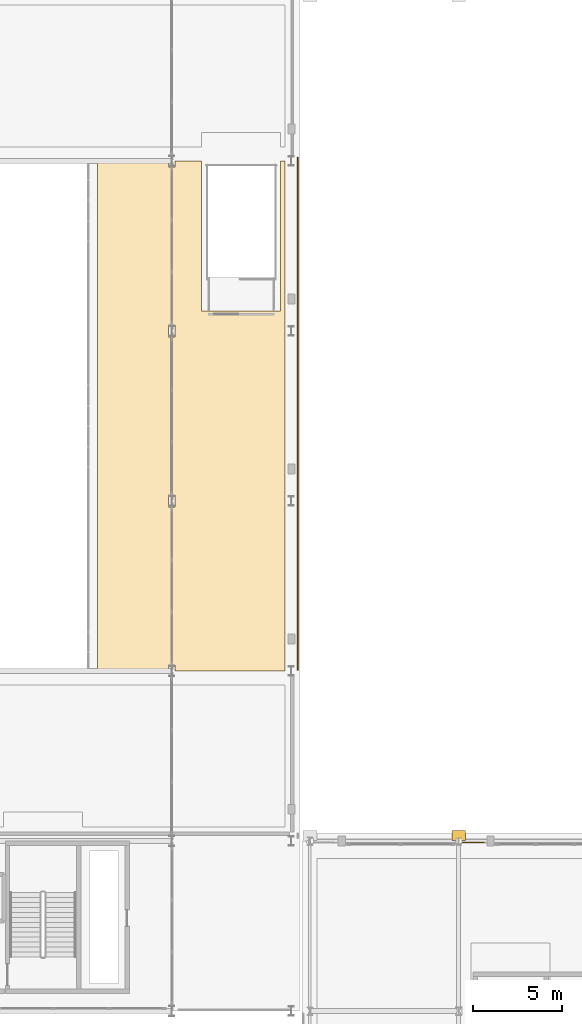
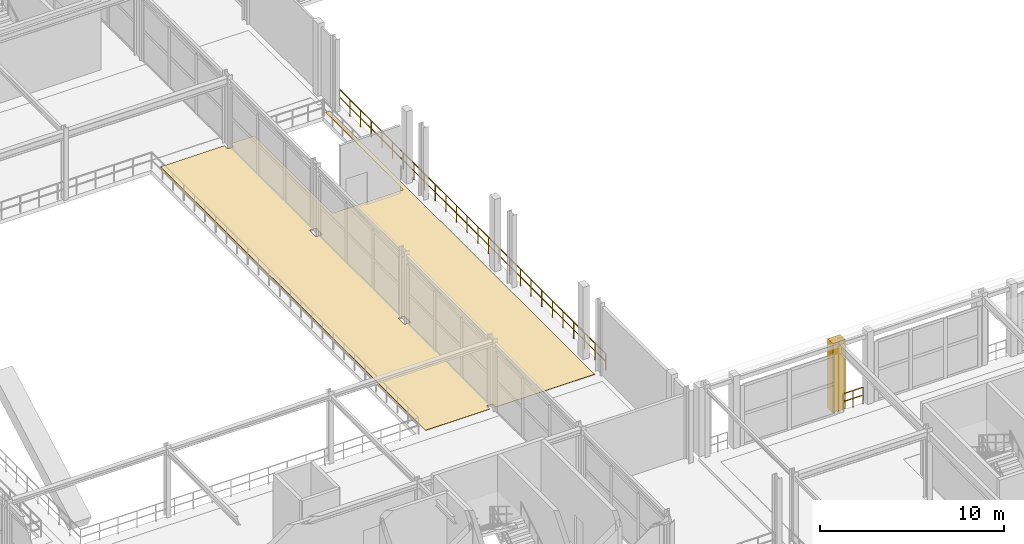
# One storey, part 102 of 125: 2 coverings, 2 railings.
"""IFC4 building model written with IfcOpenShell, lengths in metres."""

import ifcopenshell
import ifcopenshell.guid

model = None  # the IFC model being written
_history = None  # IfcOwnerHistory: only IFC2X3 demands one
_inside = {}  # id of a spatial element -> (the spatial element, [elements in it])
_under = {}  # id of a project, library or spatial element -> (it, [spatial elements below it])
_declared = {}  # id of a project -> (the project, [libraries it declares])
_typed = {}  # id of a type object -> (the type object, [elements of that type])
_made_of = {}  # id of a material, layer set ... -> (it, [elements and type objects made of it])


def new_model(schema):
    """Start an empty IFC model of exactly this schema.

    Asked for "IFC4X3", IfcOpenShell would pick the latest addendum, in which some entities
    have other attributes; the version numbers below select the first issue.
    IFC2X3 requires an IfcOwnerHistory on every rooted entity: one is made here for all.
    """
    global model, _history
    if schema == "IFC4X3":
        model = ifcopenshell.file(schema_version=(4, 3, 0, 0))
    else:
        model = ifcopenshell.file(schema=schema)
    _inside.clear()
    _under.clear()
    _declared.clear()
    _typed.clear()
    _made_of.clear()
    _history = None
    if model.schema == "IFC2X3":
        org = make("IfcOrganization", Name="unknown")
        user = make(
            "IfcPersonAndOrganization",
            ThePerson=make("IfcPerson", FamilyName="unknown"),
            TheOrganization=org,
        )
        app = make(
            "IfcApplication",
            ApplicationDeveloper=org,
            Version="unknown",
            ApplicationFullName="unknown",
            ApplicationIdentifier="unknown",
        )
        _history = make(
            "IfcOwnerHistory",
            OwningUser=user,
            OwningApplication=app,
            ChangeAction="ADDED",
            CreationDate=0,
        )
    return model


def make(cls, **values):
    """One entity of the class cls with the attributes given. An attribute that is None is left unset."""
    return model.create_entity(
        cls, **{name: value for name, value in values.items() if value is not None}
    )


def rooted(cls, **values):
    """An entity with a GlobalId (a new one), such as an element, a storey or a relation."""
    return make(cls, GlobalId=ifcopenshell.guid.new(), OwnerHistory=_history, **values)


def si_unit(unit_type, name, prefix=None):
    """IfcSIUnit, for example si_unit("LENGTHUNIT", "METRE", prefix="MILLI")."""
    return make("IfcSIUnit", UnitType=unit_type, Prefix=prefix, Name=name)


def assignment(units):
    """IfcUnitAssignment: the units of a project."""
    return None if units is None else make("IfcUnitAssignment", Units=units)


def point(xyz):
    """IfcCartesianPoint."""
    return None if xyz is None else make("IfcCartesianPoint", Coordinates=xyz)


def direction(xyz):
    """IfcDirection."""
    return None if xyz is None else make("IfcDirection", DirectionRatios=xyz)


def frame(location, z_axis=None, x_axis=None):
    """IfcAxis2Placement3D, a coordinate frame: its origin and axes. An axis left out is left unset."""
    return make(
        "IfcAxis2Placement3D",
        Location=point(location),
        Axis=direction(z_axis),
        RefDirection=direction(x_axis),
    )


def frame_2d(location, x_axis=None):
    """IfcAxis2Placement2D, a coordinate frame in the plane: its origin and x axis."""
    return make(
        "IfcAxis2Placement2D", Location=point(location), RefDirection=direction(x_axis)
    )


def origin():
    """The frame at (0, 0, 0) with its axes left unset."""
    return frame((0.0, 0.0, 0.0))


def origin_2d():
    """The frame at (0, 0) in the plane with its x axis left unset."""
    return frame_2d((0.0, 0.0))


def place(relative_to, where):
    """IfcLocalPlacement: puts the frame where relative to a parent placement (None: the world)."""
    return make(
        "IfcLocalPlacement", PlacementRelTo=relative_to, RelativePlacement=where
    )


def context(
    kind, dimensions, precision=None, world=None, true_north=None, identifier=None
):
    """IfcGeometricRepresentationContext, for example the 3D "Model" context."""
    return make(
        "IfcGeometricRepresentationContext",
        ContextIdentifier=identifier,
        ContextType=kind,
        CoordinateSpaceDimension=dimensions,
        Precision=precision,
        WorldCoordinateSystem=world,
        TrueNorth=true_north,
    )


def subcontext(parent, identifier, kind, view, scale=None):
    """IfcGeometricRepresentationSubContext, for example "Body" below "Model"."""
    return make(
        "IfcGeometricRepresentationSubContext",
        ContextIdentifier=identifier,
        ContextType=kind,
        ParentContext=parent,
        TargetScale=scale,
        TargetView=view,
    )


def project(units=None, contexts=None):
    """IfcProject with its units and contexts."""
    return rooted(
        "IfcProject",
        Name="project",
        RepresentationContexts=contexts,
        UnitsInContext=assignment(units),
    )


def spatial(cls, under=None, at=None, **own):
    """A site, building, storey or space (cls), placed at a placement, below another one or the project."""
    s = rooted(cls, ObjectPlacement=at, **own)
    if under is not None:
        _under.setdefault(under.id(), (under, []))[1].append(s)
    return s


def polyline(points):
    """IfcPolyline through the points."""
    return make("IfcPolyline", Points=[point(p) for p in points])


def profile(cls, at=None, kind="AREA", **sizes):
    """A parametric profile (cls). Its sizes go by their IFC names, for example OverallWidth=200.0."""
    return make(cls, ProfileType=kind, Position=at, **sizes)


def rectangle(**sizes):
    """IfcRectangleProfileDef."""
    return profile("IfcRectangleProfileDef", **sizes)


def outline(outer, holes=None, kind="AREA"):
    """IfcArbitraryClosedProfileDef: a profile drawn as a closed curve; with holes, ...WithVoids."""
    if holes is None:
        return make("IfcArbitraryClosedProfileDef", ProfileType=kind, OuterCurve=outer)
    return make(
        "IfcArbitraryProfileDefWithVoids",
        ProfileType=kind,
        OuterCurve=outer,
        InnerCurves=holes,
    )


def extrude(swept, where, along, depth):
    """IfcExtrudedAreaSolid: the profile swept, set in the frame where, extruded along a direction by depth."""
    return make(
        "IfcExtrudedAreaSolid",
        SweptArea=swept,
        Position=where,
        ExtrudedDirection=direction(along),
        Depth=depth,
    )


def shape(context_of_items, identifier, shape_type, items):
    """IfcShapeRepresentation: the items that make up one representation, for example the "Body"."""
    return make(
        "IfcShapeRepresentation",
        ContextOfItems=context_of_items,
        RepresentationIdentifier=identifier,
        RepresentationType=shape_type,
        Items=items,
    )


def material(Name=None, Category=None):
    """IfcMaterial."""
    return make("IfcMaterial", Name=Name, Category=Category)


def layer(
    of_material, thickness, ventilated=None, Name=None, Category=None, Priority=None
):
    """IfcMaterialLayer: one layer of a wall or slab, of a material (None: an air gap)."""
    return make(
        "IfcMaterialLayer",
        Material=of_material,
        LayerThickness=thickness,
        IsVentilated=ventilated,
        Name=Name,
        Category=Category,
        Priority=Priority,
    )


def layer_set(layers, Name=None):
    """IfcMaterialLayerSet."""
    return make("IfcMaterialLayerSet", MaterialLayers=layers, LayerSetName=Name)


def made_of(thing, what):
    """Note that an element or type object is made of a material, layer set ...; save() writes the relation."""
    if what is not None:
        _made_of.setdefault(what.id(), (what, []))[1].append(thing)
    return thing


def type_object(cls, material=None, **own):
    """A type object (cls), such as IfcWallType, which elements share."""
    return made_of(rooted(cls, **own), material)


def element(
    cls,
    number,
    at=None,
    inside=None,
    cuts=None,
    type_object=None,
    material=None,
    context=None,
    identifier="Body",
    shape_type=None,
    held_by="IfcProductDefinitionShape",
    body=None,
    shapes=None,
    **own,
):
    """One element of the class cls, such as IfcWall. Its Tag is "e" and its number.

    at: its placement. inside: the storey or other place that contains it. cuts: it is an
    opening in that element (IfcRelVoidsElement). A single representation is given by context,
    identifier, shape_type and body (its items); several are given by shapes. held_by: the class
    of the entity that holds the representations. save() writes the other relations.
    """
    e = rooted(cls, Tag="e%d" % number, ObjectPlacement=at, **own)
    if body is not None:
        shapes = [shape(context, identifier, shape_type, body)]
    if shapes is not None:
        e.Representation = make(held_by, Representations=shapes)
    if inside is not None:
        _inside.setdefault(inside.id(), (inside, []))[1].append(e)
    if cuts is not None:
        rooted(
            "IfcRelVoidsElement", RelatingBuildingElement=cuts, RelatedOpeningElement=e
        )
    if type_object is not None:
        _typed.setdefault(type_object.id(), (type_object, []))[1].append(e)
    return made_of(e, material)


def aggregate(whole, parts):
    """IfcRelAggregates: a whole, such as a stair, and the parts it consists of."""
    return rooted("IfcRelAggregates", RelatingObject=whole, RelatedObjects=parts)


def save(model, path):
    """Write the relations noted so far, then the file.

    IfcRelAggregates (storeys below a building ...), IfcRelContainedInSpatialStructure (elements
    in a storey), IfcRelDefinesByType, IfcRelAssociatesMaterial and IfcRelDeclares: one each for
    every whole, place, type object, material and project.
    """
    for whole, parts in _under.values():
        aggregate(whole, parts)
    for where, things in _inside.values():
        rooted(
            "IfcRelContainedInSpatialStructure",
            RelatedElements=things,
            RelatingStructure=where,
        )
    for kind, things in _typed.values():
        rooted("IfcRelDefinesByType", RelatedObjects=things, RelatingType=kind)
    for what, things in _made_of.values():
        rooted("IfcRelAssociatesMaterial", RelatedObjects=things, RelatingMaterial=what)
    for by, libraries in _declared.values():
        rooted("IfcRelDeclares", RelatingContext=by, RelatedDefinitions=libraries)
    model.write(path)


model = new_model("IFC4")

# Units and contexts
model_context = context("Model", 3, precision=1e-05, world=origin(), true_north=direction((0.0, 1.0)))
body_context = subcontext(model_context, "Body", "Model", "MODEL_VIEW")
ifc_project = project(units=[si_unit("LENGTHUNIT", "METRE"), si_unit("AREAUNIT", "SQUARE_METRE"), si_unit("VOLUMEUNIT", "CUBIC_METRE"), si_unit("PLANEANGLEUNIT", "RADIAN"), si_unit("MASSUNIT", "GRAM", prefix="KILO")], contexts=[model_context])

# Site, building, storey
site_placement = place(None, origin())
site = spatial("IfcSite", under=ifc_project, at=site_placement, CompositionType="ELEMENT")
building_placement = place(site_placement, origin())
building = spatial("IfcBuilding", under=site, at=building_placement, Name="Myrtia Square Station", CompositionType="ELEMENT")
storey_placement = place(building_placement, frame((0.0, 0.0, 6.0)))
storey = spatial("IfcBuildingStorey", under=building, at=storey_placement, Name="L01", CompositionType="ELEMENT", Elevation=6.0)

# Coverings
ifc_material_1 = material(Name="Pentelic marble ashlar", Category="masonry")
ifc_layer_1 = layer(ifc_material_1, 0.4599609375, Name="Pentelic marble ashlar")
ifc_layer_set_1 = layer_set([ifc_layer_1], Name="Pentelic marble ashlar")
covering_type_1 = type_object("IfcCoveringType", Name="COV-ARCH-ASHLAR", PredefinedType="CLADDING", material=ifc_layer_set_1)
covering_1_placement = place(storey_placement, frame((126.0, 38.719970703125, -0.0400390625), z_axis=(0.0, 0.0, 1.0), x_axis=(1.0, 0.0, 0.0)))
element("IfcCovering", 1, at=covering_1_placement, inside=storey, type_object=covering_type_1, Name="Classical Pentelic ashlar pilaster 010", PredefinedType="CLADDING", context=body_context, shape_type="SweptSolid", body=[
    extrude(rectangle(XDim=0.780029296875, YDim=0.56005859375, at=origin_2d()), origin(), (0.0, 0.0, 1.0), 4.590087890625),
])
ifc_material_2 = material(Name="Terrazzo stone tile", Category="masonry")
ifc_layer_2 = layer(ifc_material_2, 0.02490234375, Name="Terrazzo stone tile")
ifc_layer_set_2 = layer_set([ifc_layer_2], Name="Terrazzo stone tile")
covering_type_2 = type_object("IfcCoveringType", Name="COV-FLR-TERRAZZO", PredefinedType="FLOORING", material=ifc_layer_set_2)
covering_2_placement = place(storey_placement, origin())
element("IfcCovering", 2, at=covering_2_placement, inside=storey, type_object=covering_type_2, Name="Terrazzo concourse flooring L01-05", PredefinedType="FLOORING", context=body_context, shape_type="SweptSolid", body=[
    extrude(outline(polyline([(105.60009765625, 76.800048828125), (109.610107421875, 76.800048828125), (109.610107421875, 76.4599609375), (109.989990234375, 76.4599609375), (109.989990234375, 76.800048828125), (111.489990234375, 76.800048828125), (111.489990234375, 68.330078125), (115.949951171875, 68.330078125), (115.949951171875, 76.800048828125), (116.199951171875, 76.800048828125), (116.199951171875, 48.0), (109.989990234375, 48.0), (109.989990234375, 48.340087890625), (109.610107421875, 48.340087890625), (109.610107421875, 48.0), (105.60009765625, 48.0), (105.60009765625, 76.800048828125)]), holes=[polyline([(109.989990234375, 57.260009765625), (109.989990234375, 57.93994140625), (109.610107421875, 57.93994140625), (109.610107421875, 57.260009765625), (109.989990234375, 57.260009765625)]), polyline([(109.989990234375, 66.860107421875), (109.989990234375, 67.5400390625), (109.610107421875, 67.5400390625), (109.610107421875, 66.860107421875), (109.989990234375, 66.860107421875)])]), origin(), (0.0, 0.0, 1.0), 0.02490234375),
])

# Railings
ifc_material_3 = material(Name="Wrought iron", Category="steel")
railing_type = type_object("IfcRailingType", Name="RL-INT-GUARD-1100", PredefinedType="BALUSTRADE", material=ifc_material_3)
railing_1_placement = place(storey_placement, frame((116.919921875, 48.056884765625, 0.0)))
element("IfcRailing", 3, at=railing_1_placement, inside=storey, type_object=railing_type, Name="Perimeter slab edge balustrade L01-011", PredefinedType="BALUSTRADE", context=body_context, shape_type="SweptSolid", body=[
    extrude(rectangle(XDim=0.048095703125, YDim=0.048095703125, at=origin_2d()), frame((0.0, 0.03466796875, 1.09619140625), z_axis=(0.0, 1.0, 0.0), x_axis=(-1.0, 0.0, 0.0)), (0.0, 0.0, 1.0), 1.088134765625),
    extrude(rectangle(XDim=0.048095703125, YDim=0.048095703125, at=origin_2d()), frame((0.0, 0.03466796875, 0.58251953125), z_axis=(0.0, 1.0, 0.0), x_axis=(-1.0, 0.0, 0.0)), (0.0, 0.0, 1.0), 1.088134765625),
    extrude(rectangle(XDim=0.048095703125, YDim=0.048095703125, at=origin_2d()), frame((0.0, 1.192138671875, 1.09619140625), z_axis=(0.0, 1.0, 0.0), x_axis=(-1.0, 0.0, 0.0)), (0.0, 0.0, 1.0), 1.088134765625),
    extrude(rectangle(XDim=0.048095703125, YDim=0.048095703125, at=origin_2d()), frame((0.0, 1.192138671875, 0.58251953125), z_axis=(0.0, 1.0, 0.0), x_axis=(-1.0, 0.0, 0.0)), (0.0, 0.0, 1.0), 1.088134765625),
    extrude(rectangle(XDim=0.048095703125, YDim=0.048095703125, at=origin_2d()), frame((0.0, 2.349365234375, 1.09619140625), z_axis=(0.0, 1.0, 0.0), x_axis=(-1.0, 0.0, 0.0)), (0.0, 0.0, 1.0), 1.088134765625),
    extrude(rectangle(XDim=0.048095703125, YDim=0.048095703125, at=origin_2d()), frame((0.0, 2.349365234375, 0.58251953125), z_axis=(0.0, 1.0, 0.0), x_axis=(-1.0, 0.0, 0.0)), (0.0, 0.0, 1.0), 1.088134765625),
    extrude(rectangle(XDim=0.048095703125, YDim=0.048095703125, at=origin_2d()), frame((0.0, 3.5068359375, 1.09619140625), z_axis=(0.0, 1.0, 0.0), x_axis=(-1.0, 0.0, 0.0)), (0.0, 0.0, 1.0), 1.088134765625),
    extrude(rectangle(XDim=0.048095703125, YDim=0.048095703125, at=origin_2d()), frame((0.0, 3.5068359375, 0.58251953125), z_axis=(0.0, 1.0, 0.0), x_axis=(-1.0, 0.0, 0.0)), (0.0, 0.0, 1.0), 1.088134765625),
    extrude(rectangle(XDim=0.048095703125, YDim=0.048095703125, at=origin_2d()), frame((0.0, 4.664306640625, 1.09619140625), z_axis=(0.0, 1.0, 0.0), x_axis=(-1.0, 0.0, 0.0)), (0.0, 0.0, 1.0), 1.088134765625),
    extrude(rectangle(XDim=0.048095703125, YDim=0.048095703125, at=origin_2d()), frame((0.0, 4.664306640625, 0.58251953125), z_axis=(0.0, 1.0, 0.0), x_axis=(-1.0, 0.0, 0.0)), (0.0, 0.0, 1.0), 1.088134765625),
    extrude(rectangle(XDim=0.048095703125, YDim=0.048095703125, at=origin_2d()), frame((0.0, 5.821533203125, 1.09619140625), z_axis=(0.0, 1.0, 0.0), x_axis=(-1.0, 0.0, 0.0)), (0.0, 0.0, 1.0), 1.088134765625),
    extrude(rectangle(XDim=0.048095703125, YDim=0.048095703125, at=origin_2d()), frame((0.0, 5.821533203125, 0.58251953125), z_axis=(0.0, 1.0, 0.0), x_axis=(-1.0, 0.0, 0.0)), (0.0, 0.0, 1.0), 1.088134765625),
    extrude(rectangle(XDim=0.048095703125, YDim=0.048095703125, at=origin_2d()), frame((0.0, 6.97900390625, 1.09619140625), z_axis=(0.0, 1.0, 0.0), x_axis=(-1.0, 0.0, 0.0)), (0.0, 0.0, 1.0), 1.088134765625),
    extrude(rectangle(XDim=0.048095703125, YDim=0.048095703125, at=origin_2d()), frame((0.0, 6.97900390625, 0.58251953125), z_axis=(0.0, 1.0, 0.0), x_axis=(-1.0, 0.0, 0.0)), (0.0, 0.0, 1.0), 1.088134765625),
    extrude(rectangle(XDim=0.048095703125, YDim=0.048095703125, at=origin_2d()), frame((0.0, 8.136474609375, 1.09619140625), z_axis=(0.0, 1.0, 0.0), x_axis=(-1.0, 0.0, 0.0)), (0.0, 0.0, 1.0), 1.088134765625),
    extrude(rectangle(XDim=0.048095703125, YDim=0.048095703125, at=origin_2d()), frame((0.0, 8.136474609375, 0.58251953125), z_axis=(0.0, 1.0, 0.0), x_axis=(-1.0, 0.0, 0.0)), (0.0, 0.0, 1.0), 1.088134765625),
    extrude(rectangle(XDim=0.048095703125, YDim=0.048095703125, at=origin_2d()), frame((0.0, 9.2939453125, 1.09619140625), z_axis=(0.0, 1.0, 0.0), x_axis=(-1.0, 0.0, 0.0)), (0.0, 0.0, 1.0), 1.088134765625),
    extrude(rectangle(XDim=0.048095703125, YDim=0.048095703125, at=origin_2d()), frame((0.0, 9.2939453125, 0.58251953125), z_axis=(0.0, 1.0, 0.0), x_axis=(-1.0, 0.0, 0.0)), (0.0, 0.0, 1.0), 1.088134765625),
    extrude(rectangle(XDim=0.048095703125, YDim=0.048095703125, at=origin_2d()), frame((0.0, 10.451171875, 1.09619140625), z_axis=(0.0, 1.0, 0.0), x_axis=(-1.0, 0.0, 0.0)), (0.0, 0.0, 1.0), 1.088134765625),
    extrude(rectangle(XDim=0.048095703125, YDim=0.048095703125, at=origin_2d()), frame((0.0, 10.451171875, 0.58251953125), z_axis=(0.0, 1.0, 0.0), x_axis=(-1.0, 0.0, 0.0)), (0.0, 0.0, 1.0), 1.088134765625),
    extrude(rectangle(XDim=0.048095703125, YDim=0.048095703125, at=origin_2d()), frame((0.0, 11.608642578125, 1.09619140625), z_axis=(0.0, 1.0, 0.0), x_axis=(-1.0, 0.0, 0.0)), (0.0, 0.0, 1.0), 1.088134765625),
    extrude(rectangle(XDim=0.048095703125, YDim=0.048095703125, at=origin_2d()), frame((0.0, 11.608642578125, 0.58251953125), z_axis=(0.0, 1.0, 0.0), x_axis=(-1.0, 0.0, 0.0)), (0.0, 0.0, 1.0), 1.088134765625),
    extrude(rectangle(XDim=0.048095703125, YDim=0.048095703125, at=origin_2d()), frame((0.0, 12.76611328125, 1.09619140625), z_axis=(0.0, 1.0, 0.0), x_axis=(-1.0, 0.0, 0.0)), (0.0, 0.0, 1.0), 1.088134765625),
    extrude(rectangle(XDim=0.048095703125, YDim=0.048095703125, at=origin_2d()), frame((0.0, 12.76611328125, 0.58251953125), z_axis=(0.0, 1.0, 0.0), x_axis=(-1.0, 0.0, 0.0)), (0.0, 0.0, 1.0), 1.088134765625),
    extrude(rectangle(XDim=0.048095703125, YDim=0.048095703125, at=origin_2d()), frame((0.0, 13.923583984375, 1.09619140625), z_axis=(0.0, 1.0, 0.0), x_axis=(-1.0, 0.0, 0.0)), (0.0, 0.0, 1.0), 1.088134765625),
    extrude(rectangle(XDim=0.048095703125, YDim=0.048095703125, at=origin_2d()), frame((0.0, 13.923583984375, 0.58251953125), z_axis=(0.0, 1.0, 0.0), x_axis=(-1.0, 0.0, 0.0)), (0.0, 0.0, 1.0), 1.088134765625),
    extrude(rectangle(XDim=0.048095703125, YDim=0.048095703125, at=origin_2d()), frame((0.0, 15.080810546875, 1.09619140625), z_axis=(0.0, 1.0, 0.0), x_axis=(-1.0, 0.0, 0.0)), (0.0, 0.0, 1.0), 1.088134765625),
    extrude(rectangle(XDim=0.048095703125, YDim=0.048095703125, at=origin_2d()), frame((0.0, 15.080810546875, 0.58251953125), z_axis=(0.0, 1.0, 0.0), x_axis=(-1.0, 0.0, 0.0)), (0.0, 0.0, 1.0), 1.088134765625),
    extrude(rectangle(XDim=0.048095703125, YDim=0.048095703125, at=origin_2d()), frame((0.0, 16.23828125, 1.09619140625), z_axis=(0.0, 1.0, 0.0), x_axis=(-1.0, 0.0, 0.0)), (0.0, 0.0, 1.0), 1.088134765625),
    extrude(rectangle(XDim=0.048095703125, YDim=0.048095703125, at=origin_2d()), frame((0.0, 16.23828125, 0.58251953125), z_axis=(0.0, 1.0, 0.0), x_axis=(-1.0, 0.0, 0.0)), (0.0, 0.0, 1.0), 1.088134765625),
    extrude(rectangle(XDim=0.048095703125, YDim=0.048095703125, at=origin_2d()), frame((0.0, 17.395751953125, 1.09619140625), z_axis=(0.0, 1.0, 0.0), x_axis=(-1.0, 0.0, 0.0)), (0.0, 0.0, 1.0), 1.088134765625),
    extrude(rectangle(XDim=0.048095703125, YDim=0.048095703125, at=origin_2d()), frame((0.0, 17.395751953125, 0.58251953125), z_axis=(0.0, 1.0, 0.0), x_axis=(-1.0, 0.0, 0.0)), (0.0, 0.0, 1.0), 1.088134765625),
    extrude(rectangle(XDim=0.048095703125, YDim=0.048095703125, at=origin_2d()), frame((0.0, 18.552978515625, 1.09619140625), z_axis=(0.0, 1.0, 0.0), x_axis=(-1.0, 0.0, 0.0)), (0.0, 0.0, 1.0), 1.088134765625),
    extrude(rectangle(XDim=0.048095703125, YDim=0.048095703125, at=origin_2d()), frame((0.0, 18.552978515625, 0.58251953125), z_axis=(0.0, 1.0, 0.0), x_axis=(-1.0, 0.0, 0.0)), (0.0, 0.0, 1.0), 1.088134765625),
    extrude(rectangle(XDim=0.048095703125, YDim=0.048095703125, at=origin_2d()), frame((0.0, 19.71044921875, 1.09619140625), z_axis=(0.0, 1.0, 0.0), x_axis=(-1.0, 0.0, 0.0)), (0.0, 0.0, 1.0), 1.088134765625),
    extrude(rectangle(XDim=0.048095703125, YDim=0.048095703125, at=origin_2d()), frame((0.0, 19.71044921875, 0.58251953125), z_axis=(0.0, 1.0, 0.0), x_axis=(-1.0, 0.0, 0.0)), (0.0, 0.0, 1.0), 1.088134765625),
    extrude(rectangle(XDim=0.048095703125, YDim=0.048095703125, at=origin_2d()), frame((0.0, 20.867919921875, 1.09619140625), z_axis=(0.0, 1.0, 0.0), x_axis=(-1.0, 0.0, 0.0)), (0.0, 0.0, 1.0), 1.088134765625),
    extrude(rectangle(XDim=0.048095703125, YDim=0.048095703125, at=origin_2d()), frame((0.0, 20.867919921875, 0.58251953125), z_axis=(0.0, 1.0, 0.0), x_axis=(-1.0, 0.0, 0.0)), (0.0, 0.0, 1.0), 1.088134765625),
    extrude(rectangle(XDim=0.048095703125, YDim=0.048095703125, at=origin_2d()), frame((0.0, 22.025390625, 1.09619140625), z_axis=(0.0, 1.0, 0.0), x_axis=(-1.0, 0.0, 0.0)), (0.0, 0.0, 1.0), 1.088134765625),
    extrude(rectangle(XDim=0.048095703125, YDim=0.048095703125, at=origin_2d()), frame((0.0, 22.025390625, 0.58251953125), z_axis=(0.0, 1.0, 0.0), x_axis=(-1.0, 0.0, 0.0)), (0.0, 0.0, 1.0), 1.088134765625),
    extrude(rectangle(XDim=0.048095703125, YDim=0.048095703125, at=origin_2d()), frame((0.0, 23.1826171875, 1.09619140625), z_axis=(0.0, 1.0, 0.0), x_axis=(-1.0, 0.0, 0.0)), (0.0, 0.0, 1.0), 1.088134765625),
    extrude(rectangle(XDim=0.048095703125, YDim=0.048095703125, at=origin_2d()), frame((0.0, 23.1826171875, 0.58251953125), z_axis=(0.0, 1.0, 0.0), x_axis=(-1.0, 0.0, 0.0)), (0.0, 0.0, 1.0), 1.088134765625),
    extrude(rectangle(XDim=0.048095703125, YDim=0.048095703125, at=origin_2d()), frame((0.0, 24.340087890625, 1.09619140625), z_axis=(0.0, 1.0, 0.0), x_axis=(-1.0, 0.0, 0.0)), (0.0, 0.0, 1.0), 1.088134765625),
    extrude(rectangle(XDim=0.048095703125, YDim=0.048095703125, at=origin_2d()), frame((0.0, 24.340087890625, 0.58251953125), z_axis=(0.0, 1.0, 0.0), x_axis=(-1.0, 0.0, 0.0)), (0.0, 0.0, 1.0), 1.088134765625),
    extrude(rectangle(XDim=0.048095703125, YDim=0.048095703125, at=origin_2d()), frame((0.0, 25.49755859375, 1.09619140625), z_axis=(0.0, 1.0, 0.0), x_axis=(-1.0, 0.0, 0.0)), (0.0, 0.0, 1.0), 1.088134765625),
    extrude(rectangle(XDim=0.048095703125, YDim=0.048095703125, at=origin_2d()), frame((0.0, 25.49755859375, 0.58251953125), z_axis=(0.0, 1.0, 0.0), x_axis=(-1.0, 0.0, 0.0)), (0.0, 0.0, 1.0), 1.088134765625),
    extrude(rectangle(XDim=0.048095703125, YDim=0.048095703125, at=origin_2d()), frame((0.0, 26.65478515625, 1.09619140625), z_axis=(0.0, 1.0, 0.0), x_axis=(-1.0, 0.0, 0.0)), (0.0, 0.0, 1.0), 1.088134765625),
    extrude(rectangle(XDim=0.048095703125, YDim=0.048095703125, at=origin_2d()), frame((0.0, 26.65478515625, 0.58251953125), z_axis=(0.0, 1.0, 0.0), x_axis=(-1.0, 0.0, 0.0)), (0.0, 0.0, 1.0), 1.088134765625),
    extrude(rectangle(XDim=0.048095703125, YDim=0.048095703125, at=origin_2d()), frame((0.0, 27.812255859375, 1.09619140625), z_axis=(0.0, 1.0, 0.0), x_axis=(-1.0, 0.0, 0.0)), (0.0, 0.0, 1.0), 1.088134765625),
    extrude(rectangle(XDim=0.048095703125, YDim=0.048095703125, at=origin_2d()), frame((0.0, 27.812255859375, 0.58251953125), z_axis=(0.0, 1.0, 0.0), x_axis=(-1.0, 0.0, 0.0)), (0.0, 0.0, 1.0), 1.088134765625),
    extrude(rectangle(XDim=0.0439453125, YDim=0.0439453125, at=origin_2d()), origin(), (0.0, 0.0, 1.0), 1.1201171875),
    extrude(rectangle(XDim=0.0439453125, YDim=0.0439453125, at=origin_2d()), frame((0.0, 1.157470703125, 0.0)), (0.0, 0.0, 1.0), 1.1201171875),
    extrude(rectangle(XDim=0.0439453125, YDim=0.0439453125, at=origin_2d()), frame((0.0, 2.314697265625, 0.0)), (0.0, 0.0, 1.0), 1.1201171875),
    extrude(rectangle(XDim=0.0439453125, YDim=0.0439453125, at=origin_2d()), frame((0.0, 3.47216796875, 0.0)), (0.0, 0.0, 1.0), 1.1201171875),
    extrude(rectangle(XDim=0.0439453125, YDim=0.0439453125, at=origin_2d()), frame((0.0, 4.629638671875, 0.0)), (0.0, 0.0, 1.0), 1.1201171875),
    extrude(rectangle(XDim=0.0439453125, YDim=0.0439453125, at=origin_2d()), frame((0.0, 5.787109375, 0.0)), (0.0, 0.0, 1.0), 1.1201171875),
    extrude(rectangle(XDim=0.0439453125, YDim=0.0439453125, at=origin_2d()), frame((0.0, 6.9443359375, 0.0)), (0.0, 0.0, 1.0), 1.1201171875),
    extrude(rectangle(XDim=0.0439453125, YDim=0.0439453125, at=origin_2d()), frame((0.0, 8.101806640625, 0.0)), (0.0, 0.0, 1.0), 1.1201171875),
    extrude(rectangle(XDim=0.0439453125, YDim=0.0439453125, at=origin_2d()), frame((0.0, 9.25927734375, 0.0)), (0.0, 0.0, 1.0), 1.1201171875),
    extrude(rectangle(XDim=0.0439453125, YDim=0.0439453125, at=origin_2d()), frame((0.0, 10.41650390625, 0.0)), (0.0, 0.0, 1.0), 1.1201171875),
    extrude(rectangle(XDim=0.0439453125, YDim=0.0439453125, at=origin_2d()), frame((0.0, 11.573974609375, 0.0)), (0.0, 0.0, 1.0), 1.1201171875),
    extrude(rectangle(XDim=0.0439453125, YDim=0.0439453125, at=origin_2d()), frame((0.0, 12.7314453125, 0.0)), (0.0, 0.0, 1.0), 1.1201171875),
    extrude(rectangle(XDim=0.0439453125, YDim=0.0439453125, at=origin_2d()), frame((0.0, 13.888916015625, 0.0)), (0.0, 0.0, 1.0), 1.1201171875),
    extrude(rectangle(XDim=0.0439453125, YDim=0.0439453125, at=origin_2d()), frame((0.0, 15.046142578125, 0.0)), (0.0, 0.0, 1.0), 1.1201171875),
    extrude(rectangle(XDim=0.0439453125, YDim=0.0439453125, at=origin_2d()), frame((0.0, 16.20361328125, 0.0)), (0.0, 0.0, 1.0), 1.1201171875),
    extrude(rectangle(XDim=0.0439453125, YDim=0.0439453125, at=origin_2d()), frame((0.0, 17.361083984375, 0.0)), (0.0, 0.0, 1.0), 1.1201171875),
    extrude(rectangle(XDim=0.0439453125, YDim=0.0439453125, at=origin_2d()), frame((0.0, 18.5185546875, 0.0)), (0.0, 0.0, 1.0), 1.1201171875),
    extrude(rectangle(XDim=0.0439453125, YDim=0.0439453125, at=origin_2d()), frame((0.0, 19.67578125, 0.0)), (0.0, 0.0, 1.0), 1.1201171875),
    extrude(rectangle(XDim=0.0439453125, YDim=0.0439453125, at=origin_2d()), frame((0.0, 20.833251953125, 0.0)), (0.0, 0.0, 1.0), 1.1201171875),
    extrude(rectangle(XDim=0.0439453125, YDim=0.0439453125, at=origin_2d()), frame((0.0, 21.99072265625, 0.0)), (0.0, 0.0, 1.0), 1.1201171875),
    extrude(rectangle(XDim=0.0439453125, YDim=0.0439453125, at=origin_2d()), frame((0.0, 23.14794921875, 0.0)), (0.0, 0.0, 1.0), 1.1201171875),
    extrude(rectangle(XDim=0.0439453125, YDim=0.0439453125, at=origin_2d()), frame((0.0, 24.305419921875, 0.0)), (0.0, 0.0, 1.0), 1.1201171875),
    extrude(rectangle(XDim=0.0439453125, YDim=0.0439453125, at=origin_2d()), frame((0.0, 25.462890625, 0.0)), (0.0, 0.0, 1.0), 1.1201171875),
    extrude(rectangle(XDim=0.0439453125, YDim=0.0439453125, at=origin_2d()), frame((0.0, 26.620361328125, 0.0)), (0.0, 0.0, 1.0), 1.1201171875),
    extrude(rectangle(XDim=0.0439453125, YDim=0.0439453125, at=origin_2d()), frame((0.0, 27.777587890625, 0.0)), (0.0, 0.0, 1.0), 1.1201171875),
    extrude(rectangle(XDim=0.0439453125, YDim=0.0439453125, at=origin_2d()), frame((0.0, 28.93505859375, 0.0)), (0.0, 0.0, 1.0), 1.1201171875),
])
railing_2_placement = place(storey_placement, frame((127.425048828125, 38.320068359375, 0.0)))
element("IfcRailing", 4, at=railing_2_placement, inside=storey, type_object=railing_type, Name="Perimeter slab edge balustrade L01-025", PredefinedType="BALUSTRADE", context=body_context, shape_type="SweptSolid", body=[
    extrude(rectangle(XDim=0.048095703125, YDim=0.048095703125, at=origin_2d()), frame((-0.03466796875, 0.0, 1.09619140625), z_axis=(-1.0, 0.0, 0.0), x_axis=(0.0, -1.0, 0.0)), (0.0, 0.0, 1.0), 0.55419921875),
    extrude(rectangle(XDim=0.048095703125, YDim=0.048095703125, at=origin_2d()), frame((-0.03466796875, 0.0, 0.58251953125), z_axis=(-1.0, 0.0, 0.0), x_axis=(0.0, -1.0, 0.0)), (0.0, 0.0, 1.0), 0.55419921875),
    extrude(rectangle(XDim=0.048095703125, YDim=0.048095703125, at=origin_2d()), frame((-0.658203125, 0.0, 1.09619140625), z_axis=(-1.0, 0.0, 0.0), x_axis=(0.0, -1.0, 0.0)), (0.0, 0.0, 1.0), 0.55419921875),
    extrude(rectangle(XDim=0.048095703125, YDim=0.048095703125, at=origin_2d()), frame((-0.658203125, 0.0, 0.58251953125), z_axis=(-1.0, 0.0, 0.0), x_axis=(0.0, -1.0, 0.0)), (0.0, 0.0, 1.0), 0.55419921875),
    extrude(rectangle(XDim=0.0439453125, YDim=0.0439453125, at=origin_2d()), origin(), (0.0, 0.0, 1.0), 1.1201171875),
    extrude(rectangle(XDim=0.0439453125, YDim=0.0439453125, at=origin_2d()), frame((-0.62353515625, 0.0, 0.0)), (0.0, 0.0, 1.0), 1.1201171875),
    extrude(rectangle(XDim=0.0439453125, YDim=0.0439453125, at=origin_2d()), frame((-1.2470703125, 0.0, 0.0)), (0.0, 0.0, 1.0), 1.1201171875),
])

save(model, "model.ifc")
